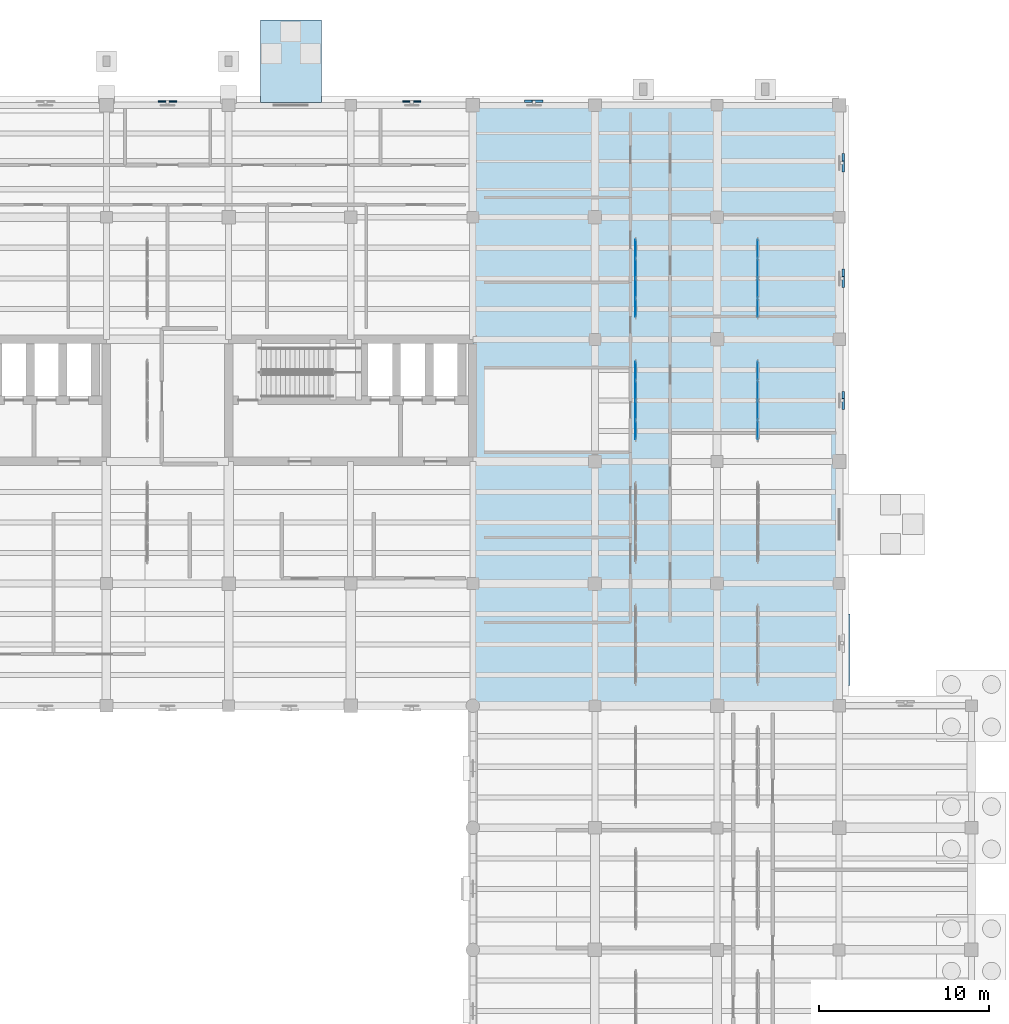
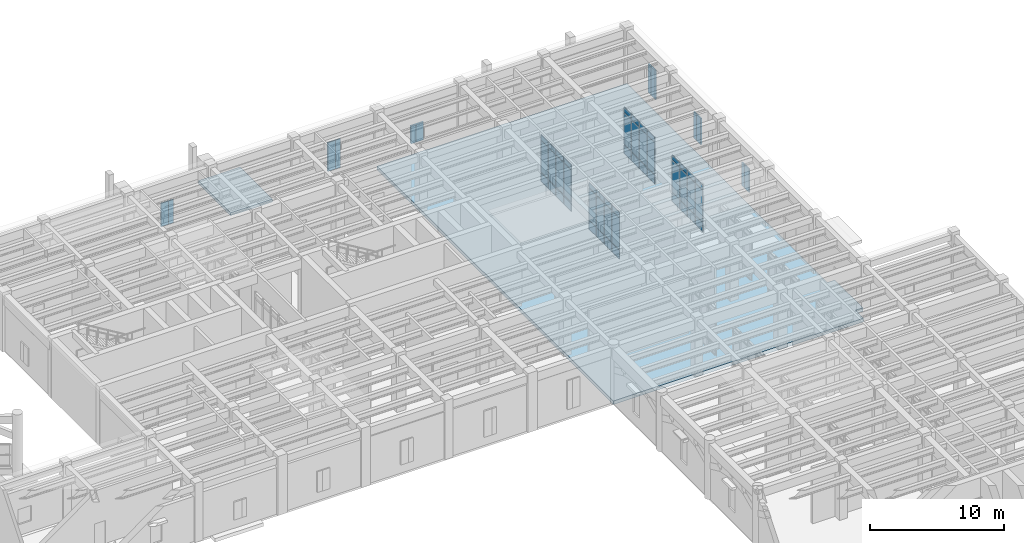
# One storey, part 66 of 100: 60 plates, 2 slabs, 4 elements without a shape of their own.
"""IFC4 building model written with IfcOpenShell, lengths in metres."""

import ifcopenshell
import ifcopenshell.guid

model = None  # the IFC model being written
_history = None  # IfcOwnerHistory: only IFC2X3 demands one
_inside = {}  # id of a spatial element -> (the spatial element, [elements in it])
_under = {}  # id of a project, library or spatial element -> (it, [spatial elements below it])
_declared = {}  # id of a project -> (the project, [libraries it declares])
_typed = {}  # id of a type object -> (the type object, [elements of that type])
_made_of = {}  # id of a material, layer set ... -> (it, [elements and type objects made of it])


def new_model(schema):
    """Start an empty IFC model of exactly this schema.

    Asked for "IFC4X3", IfcOpenShell would pick the latest addendum, in which some entities
    have other attributes; the version numbers below select the first issue.
    IFC2X3 requires an IfcOwnerHistory on every rooted entity: one is made here for all.
    """
    global model, _history
    if schema == "IFC4X3":
        model = ifcopenshell.file(schema_version=(4, 3, 0, 0))
    else:
        model = ifcopenshell.file(schema=schema)
    _inside.clear()
    _under.clear()
    _declared.clear()
    _typed.clear()
    _made_of.clear()
    _history = None
    if model.schema == "IFC2X3":
        org = make("IfcOrganization", Name="unknown")
        user = make(
            "IfcPersonAndOrganization",
            ThePerson=make("IfcPerson", FamilyName="unknown"),
            TheOrganization=org,
        )
        app = make(
            "IfcApplication",
            ApplicationDeveloper=org,
            Version="unknown",
            ApplicationFullName="unknown",
            ApplicationIdentifier="unknown",
        )
        _history = make(
            "IfcOwnerHistory",
            OwningUser=user,
            OwningApplication=app,
            ChangeAction="ADDED",
            CreationDate=0,
        )
    return model


def make(cls, **values):
    """One entity of the class cls with the attributes given. An attribute that is None is left unset."""
    return model.create_entity(
        cls, **{name: value for name, value in values.items() if value is not None}
    )


def rooted(cls, **values):
    """An entity with a GlobalId (a new one), such as an element, a storey or a relation."""
    return make(cls, GlobalId=ifcopenshell.guid.new(), OwnerHistory=_history, **values)


def si_unit(unit_type, name, prefix=None):
    """IfcSIUnit, for example si_unit("LENGTHUNIT", "METRE", prefix="MILLI")."""
    return make("IfcSIUnit", UnitType=unit_type, Prefix=prefix, Name=name)


def assignment(units):
    """IfcUnitAssignment: the units of a project."""
    return None if units is None else make("IfcUnitAssignment", Units=units)


def point(xyz):
    """IfcCartesianPoint."""
    return None if xyz is None else make("IfcCartesianPoint", Coordinates=xyz)


def direction(xyz):
    """IfcDirection."""
    return None if xyz is None else make("IfcDirection", DirectionRatios=xyz)


def frame(location, z_axis=None, x_axis=None):
    """IfcAxis2Placement3D, a coordinate frame: its origin and axes. An axis left out is left unset."""
    return make(
        "IfcAxis2Placement3D",
        Location=point(location),
        Axis=direction(z_axis),
        RefDirection=direction(x_axis),
    )


def frame_2d(location, x_axis=None):
    """IfcAxis2Placement2D, a coordinate frame in the plane: its origin and x axis."""
    return make(
        "IfcAxis2Placement2D", Location=point(location), RefDirection=direction(x_axis)
    )


def origin():
    """The frame at (0, 0, 0) with its axes left unset."""
    return frame((0.0, 0.0, 0.0))


def origin_2d():
    """The frame at (0, 0) in the plane with its x axis left unset."""
    return frame_2d((0.0, 0.0))


def place(relative_to, where):
    """IfcLocalPlacement: puts the frame where relative to a parent placement (None: the world)."""
    return make(
        "IfcLocalPlacement", PlacementRelTo=relative_to, RelativePlacement=where
    )


def context(
    kind, dimensions, precision=None, world=None, true_north=None, identifier=None
):
    """IfcGeometricRepresentationContext, for example the 3D "Model" context."""
    return make(
        "IfcGeometricRepresentationContext",
        ContextIdentifier=identifier,
        ContextType=kind,
        CoordinateSpaceDimension=dimensions,
        Precision=precision,
        WorldCoordinateSystem=world,
        TrueNorth=true_north,
    )


def subcontext(parent, identifier, kind, view, scale=None):
    """IfcGeometricRepresentationSubContext, for example "Body" below "Model"."""
    return make(
        "IfcGeometricRepresentationSubContext",
        ContextIdentifier=identifier,
        ContextType=kind,
        ParentContext=parent,
        TargetScale=scale,
        TargetView=view,
    )


def project(units=None, contexts=None):
    """IfcProject with its units and contexts."""
    return rooted(
        "IfcProject",
        Name="project",
        RepresentationContexts=contexts,
        UnitsInContext=assignment(units),
    )


def spatial(cls, under=None, at=None, **own):
    """A site, building, storey or space (cls), placed at a placement, below another one or the project."""
    s = rooted(cls, ObjectPlacement=at, **own)
    if under is not None:
        _under.setdefault(under.id(), (under, []))[1].append(s)
    return s


def polyline(points):
    """IfcPolyline through the points."""
    return make("IfcPolyline", Points=[point(p) for p in points])


def profile(cls, at=None, kind="AREA", **sizes):
    """A parametric profile (cls). Its sizes go by their IFC names, for example OverallWidth=200.0."""
    return make(cls, ProfileType=kind, Position=at, **sizes)


def rectangle(**sizes):
    """IfcRectangleProfileDef."""
    return profile("IfcRectangleProfileDef", **sizes)


def outline(outer, holes=None, kind="AREA"):
    """IfcArbitraryClosedProfileDef: a profile drawn as a closed curve; with holes, ...WithVoids."""
    if holes is None:
        return make("IfcArbitraryClosedProfileDef", ProfileType=kind, OuterCurve=outer)
    return make(
        "IfcArbitraryProfileDefWithVoids",
        ProfileType=kind,
        OuterCurve=outer,
        InnerCurves=holes,
    )


def extrude(swept, where, along, depth):
    """IfcExtrudedAreaSolid: the profile swept, set in the frame where, extruded along a direction by depth."""
    return make(
        "IfcExtrudedAreaSolid",
        SweptArea=swept,
        Position=where,
        ExtrudedDirection=direction(along),
        Depth=depth,
    )


def shape(context_of_items, identifier, shape_type, items):
    """IfcShapeRepresentation: the items that make up one representation, for example the "Body"."""
    return make(
        "IfcShapeRepresentation",
        ContextOfItems=context_of_items,
        RepresentationIdentifier=identifier,
        RepresentationType=shape_type,
        Items=items,
    )


def material(Name=None, Category=None):
    """IfcMaterial."""
    return make("IfcMaterial", Name=Name, Category=Category)


def layer(
    of_material, thickness, ventilated=None, Name=None, Category=None, Priority=None
):
    """IfcMaterialLayer: one layer of a wall or slab, of a material (None: an air gap)."""
    return make(
        "IfcMaterialLayer",
        Material=of_material,
        LayerThickness=thickness,
        IsVentilated=ventilated,
        Name=Name,
        Category=Category,
        Priority=Priority,
    )


def layer_set(layers, Name=None):
    """IfcMaterialLayerSet."""
    return make("IfcMaterialLayerSet", MaterialLayers=layers, LayerSetName=Name)


def made_of(thing, what):
    """Note that an element or type object is made of a material, layer set ...; save() writes the relation."""
    if what is not None:
        _made_of.setdefault(what.id(), (what, []))[1].append(thing)
    return thing


def type_object(cls, material=None, **own):
    """A type object (cls), such as IfcWallType, which elements share."""
    return made_of(rooted(cls, **own), material)


def element(
    cls,
    number,
    at=None,
    inside=None,
    cuts=None,
    type_object=None,
    material=None,
    context=None,
    identifier="Body",
    shape_type=None,
    held_by="IfcProductDefinitionShape",
    body=None,
    shapes=None,
    **own,
):
    """One element of the class cls, such as IfcWall. Its Tag is "e" and its number.

    at: its placement. inside: the storey or other place that contains it. cuts: it is an
    opening in that element (IfcRelVoidsElement). A single representation is given by context,
    identifier, shape_type and body (its items); several are given by shapes. held_by: the class
    of the entity that holds the representations. save() writes the other relations.
    """
    e = rooted(cls, Tag="e%d" % number, ObjectPlacement=at, **own)
    if body is not None:
        shapes = [shape(context, identifier, shape_type, body)]
    if shapes is not None:
        e.Representation = make(held_by, Representations=shapes)
    if inside is not None:
        _inside.setdefault(inside.id(), (inside, []))[1].append(e)
    if cuts is not None:
        rooted(
            "IfcRelVoidsElement", RelatingBuildingElement=cuts, RelatedOpeningElement=e
        )
    if type_object is not None:
        _typed.setdefault(type_object.id(), (type_object, []))[1].append(e)
    return made_of(e, material)


def aggregate(whole, parts):
    """IfcRelAggregates: a whole, such as a stair, and the parts it consists of."""
    return rooted("IfcRelAggregates", RelatingObject=whole, RelatedObjects=parts)


def save(model, path):
    """Write the relations noted so far, then the file.

    IfcRelAggregates (storeys below a building ...), IfcRelContainedInSpatialStructure (elements
    in a storey), IfcRelDefinesByType, IfcRelAssociatesMaterial and IfcRelDeclares: one each for
    every whole, place, type object, material and project.
    """
    for whole, parts in _under.values():
        aggregate(whole, parts)
    for where, things in _inside.values():
        rooted(
            "IfcRelContainedInSpatialStructure",
            RelatedElements=things,
            RelatingStructure=where,
        )
    for kind, things in _typed.values():
        rooted("IfcRelDefinesByType", RelatedObjects=things, RelatingType=kind)
    for what, things in _made_of.values():
        rooted("IfcRelAssociatesMaterial", RelatedObjects=things, RelatingMaterial=what)
    for by, libraries in _declared.values():
        rooted("IfcRelDeclares", RelatingContext=by, RelatedDefinitions=libraries)
    model.write(path)


model = new_model("IFC4")

# Units and contexts
model_context = context("Model", 3, precision=1e-05, world=origin(), true_north=direction((0.0, 1.0)))
body_context = subcontext(model_context, "Body", "Model", "MODEL_VIEW")
ifc_project = project(units=[si_unit("LENGTHUNIT", "METRE"), si_unit("AREAUNIT", "SQUARE_METRE"), si_unit("VOLUMEUNIT", "CUBIC_METRE"), si_unit("PLANEANGLEUNIT", "RADIAN"), si_unit("MASSUNIT", "GRAM", prefix="KILO")], contexts=[model_context])

# Site, building, storey
site_placement = place(None, origin())
site = spatial("IfcSite", under=ifc_project, at=site_placement, CompositionType="ELEMENT")
building_placement = place(site_placement, origin())
building = spatial("IfcBuilding", under=site, at=building_placement, Name="Mithqara Police Headquarters", CompositionType="ELEMENT")
storey_placement = place(building_placement, origin())
storey = spatial("IfcBuildingStorey", under=building, at=storey_placement, Name="L00", CompositionType="ELEMENT", Elevation=0.0)

# Curtain wall, plates
ifc_material_1 = material(Name="Bronze anodised aluminium 6063-T6", Category="aluminium")
curtain_wall_type = type_object("IfcCurtainWallType", Name="CURTAIN WALL 4700X4400", PredefinedType="USERDEFINED", material=ifc_material_1)
curtain_wall_1_placement = place(storey_placement, origin())
curtain_wall_1 = element("IfcCurtainWall", 1, at=curtain_wall_1_placement, inside=storey, type_object=curtain_wall_type, Name="L00 Unitised Glazing CW-14 (CW-INT-L00-X21-Y13-0)", ObjectType="UNITISED GLAZING", PredefinedType="USERDEFINED")
ifc_material_2 = material(Name="Spectrally selective double low-e glass", Category="glass")
ifc_layer_1 = layer(ifc_material_2, 0.028076171875, Name="Spectrally selective double low-e glass")
ifc_layer_set_1 = layer_set([ifc_layer_1], Name="Spectrally selective double low-e glass")
plate_type_1 = type_object("IfcPlateType", Name="CWPANEL GLASS28", PredefinedType="CURTAIN_PANEL", material=ifc_layer_set_1)
plate_1_placement = place(storey_placement, frame((154.199951171875, 94.856201171875, 0.074951171875), z_axis=(0.0, 0.0, 1.0), x_axis=(0.0, 1.0, 0.0)))
plate_1 = element("IfcPlate", 2, at=plate_1_placement, type_object=plate_type_1, Name="CW-14 panel 1.1", PredefinedType="CURTAIN_PANEL", context=body_context, shape_type="SweptSolid", body=[
    extrude(rectangle(XDim=1.0625, YDim=0.028076171875, at=origin_2d()), origin(), (0.0, 0.0, 1.0), 0.78759765625),
])
plate_2_placement = place(storey_placement, frame((154.199951171875, 94.856201171875, 0.9375), z_axis=(0.0, 0.0, 1.0), x_axis=(0.0, 1.0, 0.0)))
plate_2 = element("IfcPlate", 3, at=plate_2_placement, type_object=plate_type_1, Name="CW-14 panel 1.2", PredefinedType="CURTAIN_PANEL", context=body_context, shape_type="SweptSolid", body=[
    extrude(rectangle(XDim=1.0625, YDim=0.028076171875, at=origin_2d()), origin(), (0.0, 0.0, 1.0), 2.875),
])
plate_3_placement = place(storey_placement, frame((154.199951171875, 94.856201171875, 3.887451171875), z_axis=(0.0, 0.0, 1.0), x_axis=(0.0, 1.0, 0.0)))
plate_3 = element("IfcPlate", 4, at=plate_3_placement, type_object=plate_type_1, Name="CW-14 panel 1.3", PredefinedType="CURTAIN_PANEL", context=body_context, shape_type="SweptSolid", body=[
    extrude(rectangle(XDim=1.0625, YDim=0.028076171875, at=origin_2d()), origin(), (0.0, 0.0, 1.0), 0.4375),
])
plate_4_placement = place(storey_placement, frame((154.199951171875, 96.012451171875, 0.074951171875), z_axis=(0.0, 0.0, 1.0), x_axis=(0.0, 1.0, 0.0)))
plate_4 = element("IfcPlate", 5, at=plate_4_placement, type_object=plate_type_1, Name="CW-14 panel 2.1", PredefinedType="CURTAIN_PANEL", context=body_context, shape_type="SweptSolid", body=[
    extrude(rectangle(XDim=1.10009765625, YDim=0.028076171875, at=origin_2d()), origin(), (0.0, 0.0, 1.0), 0.78759765625),
])
plate_5_placement = place(storey_placement, frame((154.199951171875, 96.012451171875, 0.9375), z_axis=(0.0, 0.0, 1.0), x_axis=(0.0, 1.0, 0.0)))
plate_5 = element("IfcPlate", 6, at=plate_5_placement, type_object=plate_type_1, Name="CW-14 panel 2.2", PredefinedType="CURTAIN_PANEL", context=body_context, shape_type="SweptSolid", body=[
    extrude(rectangle(XDim=1.10009765625, YDim=0.028076171875, at=origin_2d()), origin(), (0.0, 0.0, 1.0), 2.875),
])
plate_6_placement = place(storey_placement, frame((154.199951171875, 96.012451171875, 3.887451171875), z_axis=(0.0, 0.0, 1.0), x_axis=(0.0, 1.0, 0.0)))
plate_6 = element("IfcPlate", 7, at=plate_6_placement, type_object=plate_type_1, Name="CW-14 panel 2.3", PredefinedType="CURTAIN_PANEL", context=body_context, shape_type="SweptSolid", body=[
    extrude(rectangle(XDim=1.10009765625, YDim=0.028076171875, at=origin_2d()), origin(), (0.0, 0.0, 1.0), 0.4375),
])
plate_7_placement = place(storey_placement, frame((154.199951171875, 97.1875, 0.074951171875), z_axis=(0.0, 0.0, 1.0), x_axis=(0.0, 1.0, 0.0)))
plate_7 = element("IfcPlate", 8, at=plate_7_placement, type_object=plate_type_1, Name="CW-14 panel 3.1", PredefinedType="CURTAIN_PANEL", context=body_context, shape_type="SweptSolid", body=[
    extrude(rectangle(XDim=1.10009765625, YDim=0.028076171875, at=origin_2d()), origin(), (0.0, 0.0, 1.0), 0.78759765625),
])
plate_8_placement = place(storey_placement, frame((154.199951171875, 97.1875, 0.9375), z_axis=(0.0, 0.0, 1.0), x_axis=(0.0, 1.0, 0.0)))
plate_8 = element("IfcPlate", 9, at=plate_8_placement, type_object=plate_type_1, Name="CW-14 panel 3.2", PredefinedType="CURTAIN_PANEL", context=body_context, shape_type="SweptSolid", body=[
    extrude(rectangle(XDim=1.10009765625, YDim=0.028076171875, at=origin_2d()), origin(), (0.0, 0.0, 1.0), 2.875),
])
plate_9_placement = place(storey_placement, frame((154.199951171875, 97.1875, 3.887451171875), z_axis=(0.0, 0.0, 1.0), x_axis=(0.0, 1.0, 0.0)))
plate_9 = element("IfcPlate", 10, at=plate_9_placement, type_object=plate_type_1, Name="CW-14 panel 3.3", PredefinedType="CURTAIN_PANEL", context=body_context, shape_type="SweptSolid", body=[
    extrude(rectangle(XDim=1.10009765625, YDim=0.028076171875, at=origin_2d()), origin(), (0.0, 0.0, 1.0), 0.4375),
])
plate_10_placement = place(storey_placement, frame((154.199951171875, 98.34375, 0.074951171875), z_axis=(0.0, 0.0, 1.0), x_axis=(0.0, 1.0, 0.0)))
plate_10 = element("IfcPlate", 11, at=plate_10_placement, type_object=plate_type_1, Name="CW-14 panel 4.1", PredefinedType="CURTAIN_PANEL", context=body_context, shape_type="SweptSolid", body=[
    extrude(rectangle(XDim=1.0625, YDim=0.028076171875, at=origin_2d()), origin(), (0.0, 0.0, 1.0), 0.78759765625),
])
plate_11_placement = place(storey_placement, frame((154.199951171875, 98.34375, 0.9375), z_axis=(0.0, 0.0, 1.0), x_axis=(0.0, 1.0, 0.0)))
plate_11 = element("IfcPlate", 12, at=plate_11_placement, type_object=plate_type_1, Name="CW-14 panel 4.2", PredefinedType="CURTAIN_PANEL", context=body_context, shape_type="SweptSolid", body=[
    extrude(rectangle(XDim=1.0625, YDim=0.028076171875, at=origin_2d()), origin(), (0.0, 0.0, 1.0), 2.875),
])
plate_12_placement = place(storey_placement, frame((154.199951171875, 98.34375, 3.887451171875), z_axis=(0.0, 0.0, 1.0), x_axis=(0.0, 1.0, 0.0)))
plate_12 = element("IfcPlate", 13, at=plate_12_placement, type_object=plate_type_1, Name="CW-14 panel 4.3", PredefinedType="CURTAIN_PANEL", context=body_context, shape_type="SweptSolid", body=[
    extrude(rectangle(XDim=1.0625, YDim=0.028076171875, at=origin_2d()), origin(), (0.0, 0.0, 1.0), 0.4375),
])
aggregate(curtain_wall_1, [plate_1, plate_2, plate_3, plate_4, plate_5, plate_6, plate_7, plate_8, plate_9, plate_10, plate_11, plate_12])

curtain_wall_2_placement = place(storey_placement, origin())
curtain_wall_2 = element("IfcCurtainWall", 14, at=curtain_wall_2_placement, inside=storey, type_object=curtain_wall_type, Name="L00 Unitised Glazing CW-14 (CW-INT-L00-X21-Y14-0)", ObjectType="UNITISED GLAZING", PredefinedType="USERDEFINED")
plate_13_placement = place(storey_placement, frame((154.199951171875, 102.05615234375, 0.074951171875), z_axis=(0.0, 0.0, 1.0), x_axis=(0.0, 1.0, 0.0)))
plate_13 = element("IfcPlate", 15, at=plate_13_placement, type_object=plate_type_1, Name="CW-14 panel 1.1", PredefinedType="CURTAIN_PANEL", context=body_context, shape_type="SweptSolid", body=[
    extrude(rectangle(XDim=1.0625, YDim=0.028076171875, at=origin_2d()), origin(), (0.0, 0.0, 1.0), 0.78759765625),
])
plate_14_placement = place(storey_placement, frame((154.199951171875, 102.05615234375, 0.9375), z_axis=(0.0, 0.0, 1.0), x_axis=(0.0, 1.0, 0.0)))
plate_14 = element("IfcPlate", 16, at=plate_14_placement, type_object=plate_type_1, Name="CW-14 panel 1.2", PredefinedType="CURTAIN_PANEL", context=body_context, shape_type="SweptSolid", body=[
    extrude(rectangle(XDim=1.0625, YDim=0.028076171875, at=origin_2d()), origin(), (0.0, 0.0, 1.0), 2.875),
])
plate_15_placement = place(storey_placement, frame((154.199951171875, 102.05615234375, 3.887451171875), z_axis=(0.0, 0.0, 1.0), x_axis=(0.0, 1.0, 0.0)))
plate_15 = element("IfcPlate", 17, at=plate_15_placement, type_object=plate_type_1, Name="CW-14 panel 1.3", PredefinedType="CURTAIN_PANEL", context=body_context, shape_type="SweptSolid", body=[
    extrude(rectangle(XDim=1.0625, YDim=0.028076171875, at=origin_2d()), origin(), (0.0, 0.0, 1.0), 0.4375),
])
plate_16_placement = place(storey_placement, frame((154.199951171875, 103.21240234375, 0.074951171875), z_axis=(0.0, 0.0, 1.0), x_axis=(0.0, 1.0, 0.0)))
plate_16 = element("IfcPlate", 18, at=plate_16_placement, type_object=plate_type_1, Name="CW-14 panel 2.1", PredefinedType="CURTAIN_PANEL", context=body_context, shape_type="SweptSolid", body=[
    extrude(rectangle(XDim=1.10009765625, YDim=0.028076171875, at=origin_2d()), origin(), (0.0, 0.0, 1.0), 0.78759765625),
])
plate_17_placement = place(storey_placement, frame((154.199951171875, 103.21240234375, 0.9375), z_axis=(0.0, 0.0, 1.0), x_axis=(0.0, 1.0, 0.0)))
plate_17 = element("IfcPlate", 19, at=plate_17_placement, type_object=plate_type_1, Name="CW-14 panel 2.2", PredefinedType="CURTAIN_PANEL", context=body_context, shape_type="SweptSolid", body=[
    extrude(rectangle(XDim=1.10009765625, YDim=0.028076171875, at=origin_2d()), origin(), (0.0, 0.0, 1.0), 2.875),
])
plate_18_placement = place(storey_placement, frame((154.199951171875, 103.21240234375, 3.887451171875), z_axis=(0.0, 0.0, 1.0), x_axis=(0.0, 1.0, 0.0)))
plate_18 = element("IfcPlate", 20, at=plate_18_placement, type_object=plate_type_1, Name="CW-14 panel 2.3", PredefinedType="CURTAIN_PANEL", context=body_context, shape_type="SweptSolid", body=[
    extrude(rectangle(XDim=1.10009765625, YDim=0.028076171875, at=origin_2d()), origin(), (0.0, 0.0, 1.0), 0.4375),
])
plate_19_placement = place(storey_placement, frame((154.199951171875, 104.387451171875, 0.074951171875), z_axis=(0.0, 0.0, 1.0), x_axis=(0.0, 1.0, 0.0)))
plate_19 = element("IfcPlate", 21, at=plate_19_placement, type_object=plate_type_1, Name="CW-14 panel 3.1", PredefinedType="CURTAIN_PANEL", context=body_context, shape_type="SweptSolid", body=[
    extrude(rectangle(XDim=1.10009765625, YDim=0.028076171875, at=origin_2d()), origin(), (0.0, 0.0, 1.0), 0.78759765625),
])
plate_20_placement = place(storey_placement, frame((154.199951171875, 104.387451171875, 0.9375), z_axis=(0.0, 0.0, 1.0), x_axis=(0.0, 1.0, 0.0)))
plate_20 = element("IfcPlate", 22, at=plate_20_placement, type_object=plate_type_1, Name="CW-14 panel 3.2", PredefinedType="CURTAIN_PANEL", context=body_context, shape_type="SweptSolid", body=[
    extrude(rectangle(XDim=1.10009765625, YDim=0.028076171875, at=origin_2d()), origin(), (0.0, 0.0, 1.0), 2.875),
])
plate_21_placement = place(storey_placement, frame((154.199951171875, 104.387451171875, 3.887451171875), z_axis=(0.0, 0.0, 1.0), x_axis=(0.0, 1.0, 0.0)))
plate_21 = element("IfcPlate", 23, at=plate_21_placement, type_object=plate_type_1, Name="CW-14 panel 3.3", PredefinedType="CURTAIN_PANEL", context=body_context, shape_type="SweptSolid", body=[
    extrude(rectangle(XDim=1.10009765625, YDim=0.028076171875, at=origin_2d()), origin(), (0.0, 0.0, 1.0), 0.4375),
])
plate_22_placement = place(storey_placement, frame((154.199951171875, 105.543701171875, 0.074951171875), z_axis=(0.0, 0.0, 1.0), x_axis=(0.0, 1.0, 0.0)))
plate_22 = element("IfcPlate", 24, at=plate_22_placement, type_object=plate_type_1, Name="CW-14 panel 4.1", PredefinedType="CURTAIN_PANEL", context=body_context, shape_type="SweptSolid", body=[
    extrude(rectangle(XDim=1.0625, YDim=0.028076171875, at=origin_2d()), origin(), (0.0, 0.0, 1.0), 0.78759765625),
])
plate_23_placement = place(storey_placement, frame((154.199951171875, 105.543701171875, 0.9375), z_axis=(0.0, 0.0, 1.0), x_axis=(0.0, 1.0, 0.0)))
plate_23 = element("IfcPlate", 25, at=plate_23_placement, type_object=plate_type_1, Name="CW-14 panel 4.2", PredefinedType="CURTAIN_PANEL", context=body_context, shape_type="SweptSolid", body=[
    extrude(rectangle(XDim=1.0625, YDim=0.028076171875, at=origin_2d()), origin(), (0.0, 0.0, 1.0), 2.875),
])
plate_24_placement = place(storey_placement, frame((154.199951171875, 105.543701171875, 3.887451171875), z_axis=(0.0, 0.0, 1.0), x_axis=(0.0, 1.0, 0.0)))
plate_24 = element("IfcPlate", 26, at=plate_24_placement, type_object=plate_type_1, Name="CW-14 panel 4.3", PredefinedType="CURTAIN_PANEL", context=body_context, shape_type="SweptSolid", body=[
    extrude(rectangle(XDim=1.0625, YDim=0.028076171875, at=origin_2d()), origin(), (0.0, 0.0, 1.0), 0.4375),
])
aggregate(curtain_wall_2, [plate_13, plate_14, plate_15, plate_16, plate_17, plate_18, plate_19, plate_20, plate_21, plate_22, plate_23, plate_24])

curtain_wall_3_placement = place(storey_placement, origin())
curtain_wall_3 = element("IfcCurtainWall", 27, at=curtain_wall_3_placement, inside=storey, type_object=curtain_wall_type, Name="L00 Unitised Glazing CW-14 (CW-INT-L00-X22-Y13-0)", ObjectType="UNITISED GLAZING", PredefinedType="USERDEFINED")
plate_25_placement = place(storey_placement, frame((161.39990234375, 94.856201171875, 0.074951171875), z_axis=(0.0, 0.0, 1.0), x_axis=(0.0, 1.0, 0.0)))
plate_25 = element("IfcPlate", 28, at=plate_25_placement, type_object=plate_type_1, Name="CW-14 panel 1.1", PredefinedType="CURTAIN_PANEL", context=body_context, shape_type="SweptSolid", body=[
    extrude(rectangle(XDim=1.0625, YDim=0.028076171875, at=origin_2d()), origin(), (0.0, 0.0, 1.0), 0.78759765625),
])
plate_26_placement = place(storey_placement, frame((161.39990234375, 94.856201171875, 0.9375), z_axis=(0.0, 0.0, 1.0), x_axis=(0.0, 1.0, 0.0)))
plate_26 = element("IfcPlate", 29, at=plate_26_placement, type_object=plate_type_1, Name="CW-14 panel 1.2", PredefinedType="CURTAIN_PANEL", context=body_context, shape_type="SweptSolid", body=[
    extrude(rectangle(XDim=1.0625, YDim=0.028076171875, at=origin_2d()), origin(), (0.0, 0.0, 1.0), 2.875),
])
plate_27_placement = place(storey_placement, frame((161.39990234375, 94.856201171875, 3.887451171875), z_axis=(0.0, 0.0, 1.0), x_axis=(0.0, 1.0, 0.0)))
plate_27 = element("IfcPlate", 30, at=plate_27_placement, type_object=plate_type_1, Name="CW-14 panel 1.3", PredefinedType="CURTAIN_PANEL", context=body_context, shape_type="SweptSolid", body=[
    extrude(rectangle(XDim=1.0625, YDim=0.028076171875, at=origin_2d()), origin(), (0.0, 0.0, 1.0), 0.4375),
])
plate_28_placement = place(storey_placement, frame((161.39990234375, 96.012451171875, 0.074951171875), z_axis=(0.0, 0.0, 1.0), x_axis=(0.0, 1.0, 0.0)))
plate_28 = element("IfcPlate", 31, at=plate_28_placement, type_object=plate_type_1, Name="CW-14 panel 2.1", PredefinedType="CURTAIN_PANEL", context=body_context, shape_type="SweptSolid", body=[
    extrude(rectangle(XDim=1.10009765625, YDim=0.028076171875, at=origin_2d()), origin(), (0.0, 0.0, 1.0), 0.78759765625),
])
plate_29_placement = place(storey_placement, frame((161.39990234375, 96.012451171875, 0.9375), z_axis=(0.0, 0.0, 1.0), x_axis=(0.0, 1.0, 0.0)))
plate_29 = element("IfcPlate", 32, at=plate_29_placement, type_object=plate_type_1, Name="CW-14 panel 2.2", PredefinedType="CURTAIN_PANEL", context=body_context, shape_type="SweptSolid", body=[
    extrude(rectangle(XDim=1.10009765625, YDim=0.028076171875, at=origin_2d()), origin(), (0.0, 0.0, 1.0), 2.875),
])
plate_30_placement = place(storey_placement, frame((161.39990234375, 96.012451171875, 3.887451171875), z_axis=(0.0, 0.0, 1.0), x_axis=(0.0, 1.0, 0.0)))
plate_30 = element("IfcPlate", 33, at=plate_30_placement, type_object=plate_type_1, Name="CW-14 panel 2.3", PredefinedType="CURTAIN_PANEL", context=body_context, shape_type="SweptSolid", body=[
    extrude(rectangle(XDim=1.10009765625, YDim=0.028076171875, at=origin_2d()), origin(), (0.0, 0.0, 1.0), 0.4375),
])
plate_31_placement = place(storey_placement, frame((161.39990234375, 97.1875, 0.074951171875), z_axis=(0.0, 0.0, 1.0), x_axis=(0.0, 1.0, 0.0)))
plate_31 = element("IfcPlate", 34, at=plate_31_placement, type_object=plate_type_1, Name="CW-14 panel 3.1", PredefinedType="CURTAIN_PANEL", context=body_context, shape_type="SweptSolid", body=[
    extrude(rectangle(XDim=1.10009765625, YDim=0.028076171875, at=origin_2d()), origin(), (0.0, 0.0, 1.0), 0.78759765625),
])
plate_32_placement = place(storey_placement, frame((161.39990234375, 97.1875, 0.9375), z_axis=(0.0, 0.0, 1.0), x_axis=(0.0, 1.0, 0.0)))
plate_32 = element("IfcPlate", 35, at=plate_32_placement, type_object=plate_type_1, Name="CW-14 panel 3.2", PredefinedType="CURTAIN_PANEL", context=body_context, shape_type="SweptSolid", body=[
    extrude(rectangle(XDim=1.10009765625, YDim=0.028076171875, at=origin_2d()), origin(), (0.0, 0.0, 1.0), 2.875),
])
plate_33_placement = place(storey_placement, frame((161.39990234375, 97.1875, 3.887451171875), z_axis=(0.0, 0.0, 1.0), x_axis=(0.0, 1.0, 0.0)))
plate_33 = element("IfcPlate", 36, at=plate_33_placement, type_object=plate_type_1, Name="CW-14 panel 3.3", PredefinedType="CURTAIN_PANEL", context=body_context, shape_type="SweptSolid", body=[
    extrude(rectangle(XDim=1.10009765625, YDim=0.028076171875, at=origin_2d()), origin(), (0.0, 0.0, 1.0), 0.4375),
])
plate_34_placement = place(storey_placement, frame((161.39990234375, 98.34375, 0.074951171875), z_axis=(0.0, 0.0, 1.0), x_axis=(0.0, 1.0, 0.0)))
plate_34 = element("IfcPlate", 37, at=plate_34_placement, type_object=plate_type_1, Name="CW-14 panel 4.1", PredefinedType="CURTAIN_PANEL", context=body_context, shape_type="SweptSolid", body=[
    extrude(rectangle(XDim=1.0625, YDim=0.028076171875, at=origin_2d()), origin(), (0.0, 0.0, 1.0), 0.78759765625),
])
plate_35_placement = place(storey_placement, frame((161.39990234375, 98.34375, 0.9375), z_axis=(0.0, 0.0, 1.0), x_axis=(0.0, 1.0, 0.0)))
plate_35 = element("IfcPlate", 38, at=plate_35_placement, type_object=plate_type_1, Name="CW-14 panel 4.2", PredefinedType="CURTAIN_PANEL", context=body_context, shape_type="SweptSolid", body=[
    extrude(rectangle(XDim=1.0625, YDim=0.028076171875, at=origin_2d()), origin(), (0.0, 0.0, 1.0), 2.875),
])
plate_36_placement = place(storey_placement, frame((161.39990234375, 98.34375, 3.887451171875), z_axis=(0.0, 0.0, 1.0), x_axis=(0.0, 1.0, 0.0)))
plate_36 = element("IfcPlate", 39, at=plate_36_placement, type_object=plate_type_1, Name="CW-14 panel 4.3", PredefinedType="CURTAIN_PANEL", context=body_context, shape_type="SweptSolid", body=[
    extrude(rectangle(XDim=1.0625, YDim=0.028076171875, at=origin_2d()), origin(), (0.0, 0.0, 1.0), 0.4375),
])
aggregate(curtain_wall_3, [plate_25, plate_26, plate_27, plate_28, plate_29, plate_30, plate_31, plate_32, plate_33, plate_34, plate_35, plate_36])

curtain_wall_4_placement = place(storey_placement, origin())
curtain_wall_4 = element("IfcCurtainWall", 40, at=curtain_wall_4_placement, inside=storey, type_object=curtain_wall_type, Name="L00 Unitised Glazing CW-14 (CW-INT-L00-X22-Y14-0)", ObjectType="UNITISED GLAZING", PredefinedType="USERDEFINED")
plate_37_placement = place(storey_placement, frame((161.39990234375, 102.05615234375, 0.074951171875), z_axis=(0.0, 0.0, 1.0), x_axis=(0.0, 1.0, 0.0)))
plate_37 = element("IfcPlate", 41, at=plate_37_placement, type_object=plate_type_1, Name="CW-14 panel 1.1", PredefinedType="CURTAIN_PANEL", context=body_context, shape_type="SweptSolid", body=[
    extrude(rectangle(XDim=1.0625, YDim=0.028076171875, at=origin_2d()), origin(), (0.0, 0.0, 1.0), 0.78759765625),
])
plate_38_placement = place(storey_placement, frame((161.39990234375, 102.05615234375, 0.9375), z_axis=(0.0, 0.0, 1.0), x_axis=(0.0, 1.0, 0.0)))
plate_38 = element("IfcPlate", 42, at=plate_38_placement, type_object=plate_type_1, Name="CW-14 panel 1.2", PredefinedType="CURTAIN_PANEL", context=body_context, shape_type="SweptSolid", body=[
    extrude(rectangle(XDim=1.0625, YDim=0.028076171875, at=origin_2d()), origin(), (0.0, 0.0, 1.0), 2.875),
])
plate_39_placement = place(storey_placement, frame((161.39990234375, 102.05615234375, 3.887451171875), z_axis=(0.0, 0.0, 1.0), x_axis=(0.0, 1.0, 0.0)))
plate_39 = element("IfcPlate", 43, at=plate_39_placement, type_object=plate_type_1, Name="CW-14 panel 1.3", PredefinedType="CURTAIN_PANEL", context=body_context, shape_type="SweptSolid", body=[
    extrude(rectangle(XDim=1.0625, YDim=0.028076171875, at=origin_2d()), origin(), (0.0, 0.0, 1.0), 0.4375),
])
plate_40_placement = place(storey_placement, frame((161.39990234375, 103.21240234375, 0.074951171875), z_axis=(0.0, 0.0, 1.0), x_axis=(0.0, 1.0, 0.0)))
plate_40 = element("IfcPlate", 44, at=plate_40_placement, type_object=plate_type_1, Name="CW-14 panel 2.1", PredefinedType="CURTAIN_PANEL", context=body_context, shape_type="SweptSolid", body=[
    extrude(rectangle(XDim=1.10009765625, YDim=0.028076171875, at=origin_2d()), origin(), (0.0, 0.0, 1.0), 0.78759765625),
])
plate_41_placement = place(storey_placement, frame((161.39990234375, 103.21240234375, 0.9375), z_axis=(0.0, 0.0, 1.0), x_axis=(0.0, 1.0, 0.0)))
plate_41 = element("IfcPlate", 45, at=plate_41_placement, type_object=plate_type_1, Name="CW-14 panel 2.2", PredefinedType="CURTAIN_PANEL", context=body_context, shape_type="SweptSolid", body=[
    extrude(rectangle(XDim=1.10009765625, YDim=0.028076171875, at=origin_2d()), origin(), (0.0, 0.0, 1.0), 2.875),
])
plate_42_placement = place(storey_placement, frame((161.39990234375, 103.21240234375, 3.887451171875), z_axis=(0.0, 0.0, 1.0), x_axis=(0.0, 1.0, 0.0)))
plate_42 = element("IfcPlate", 46, at=plate_42_placement, type_object=plate_type_1, Name="CW-14 panel 2.3", PredefinedType="CURTAIN_PANEL", context=body_context, shape_type="SweptSolid", body=[
    extrude(rectangle(XDim=1.10009765625, YDim=0.028076171875, at=origin_2d()), origin(), (0.0, 0.0, 1.0), 0.4375),
])
plate_43_placement = place(storey_placement, frame((161.39990234375, 104.387451171875, 0.074951171875), z_axis=(0.0, 0.0, 1.0), x_axis=(0.0, 1.0, 0.0)))
plate_43 = element("IfcPlate", 47, at=plate_43_placement, type_object=plate_type_1, Name="CW-14 panel 3.1", PredefinedType="CURTAIN_PANEL", context=body_context, shape_type="SweptSolid", body=[
    extrude(rectangle(XDim=1.10009765625, YDim=0.028076171875, at=origin_2d()), origin(), (0.0, 0.0, 1.0), 0.78759765625),
])
plate_44_placement = place(storey_placement, frame((161.39990234375, 104.387451171875, 0.9375), z_axis=(0.0, 0.0, 1.0), x_axis=(0.0, 1.0, 0.0)))
plate_44 = element("IfcPlate", 48, at=plate_44_placement, type_object=plate_type_1, Name="CW-14 panel 3.2", PredefinedType="CURTAIN_PANEL", context=body_context, shape_type="SweptSolid", body=[
    extrude(rectangle(XDim=1.10009765625, YDim=0.028076171875, at=origin_2d()), origin(), (0.0, 0.0, 1.0), 2.875),
])
plate_45_placement = place(storey_placement, frame((161.39990234375, 104.387451171875, 3.887451171875), z_axis=(0.0, 0.0, 1.0), x_axis=(0.0, 1.0, 0.0)))
plate_45 = element("IfcPlate", 49, at=plate_45_placement, type_object=plate_type_1, Name="CW-14 panel 3.3", PredefinedType="CURTAIN_PANEL", context=body_context, shape_type="SweptSolid", body=[
    extrude(rectangle(XDim=1.10009765625, YDim=0.028076171875, at=origin_2d()), origin(), (0.0, 0.0, 1.0), 0.4375),
])
plate_46_placement = place(storey_placement, frame((161.39990234375, 105.543701171875, 0.074951171875), z_axis=(0.0, 0.0, 1.0), x_axis=(0.0, 1.0, 0.0)))
plate_46 = element("IfcPlate", 50, at=plate_46_placement, type_object=plate_type_1, Name="CW-14 panel 4.1", PredefinedType="CURTAIN_PANEL", context=body_context, shape_type="SweptSolid", body=[
    extrude(rectangle(XDim=1.0625, YDim=0.028076171875, at=origin_2d()), origin(), (0.0, 0.0, 1.0), 0.78759765625),
])
plate_47_placement = place(storey_placement, frame((161.39990234375, 105.543701171875, 0.9375), z_axis=(0.0, 0.0, 1.0), x_axis=(0.0, 1.0, 0.0)))
plate_47 = element("IfcPlate", 51, at=plate_47_placement, type_object=plate_type_1, Name="CW-14 panel 4.2", PredefinedType="CURTAIN_PANEL", context=body_context, shape_type="SweptSolid", body=[
    extrude(rectangle(XDim=1.0625, YDim=0.028076171875, at=origin_2d()), origin(), (0.0, 0.0, 1.0), 2.875),
])
plate_48_placement = place(storey_placement, frame((161.39990234375, 105.543701171875, 3.887451171875), z_axis=(0.0, 0.0, 1.0), x_axis=(0.0, 1.0, 0.0)))
plate_48 = element("IfcPlate", 52, at=plate_48_placement, type_object=plate_type_1, Name="CW-14 panel 4.3", PredefinedType="CURTAIN_PANEL", context=body_context, shape_type="SweptSolid", body=[
    extrude(rectangle(XDim=1.0625, YDim=0.028076171875, at=origin_2d()), origin(), (0.0, 0.0, 1.0), 0.4375),
])
aggregate(curtain_wall_4, [plate_37, plate_38, plate_39, plate_40, plate_41, plate_42, plate_43, plate_44, plate_45, plate_46, plate_47, plate_48])

# Slabs
ifc_material_3 = material(Name="Concrete C40/50", Category="concrete")
ifc_layer_2 = layer(ifc_material_3, 0.320068359375, Name="Concrete C40/50")
ifc_layer_set_2 = layer_set([ifc_layer_2], Name="Concrete C40/50")
slab_type_1 = type_object("IfcSlabType", Name="FLOOR SLAB 320", PredefinedType="FLOOR", material=ifc_layer_set_2)
slab_1_placement = place(storey_placement, frame((0.0, 0.0, -0.320068359375)))
element("IfcSlab", 53, at=slab_1_placement, inside=storey, type_object=slab_type_1, Name="L00 Structural Slab L00-V1B", PredefinedType="FLOOR", context=body_context, shape_type="SweptSolid", body=[
    extrude(outline(polyline([(166.85009765625, 84.0), (166.85009765625, 79.800048828125), (166.199951171875, 79.800048828125), (166.199951171875, 78.60009765625), (144.60009765625, 78.60009765625), (144.60009765625, 114.0), (166.199951171875, 114.0), (166.199951171875, 84.0), (166.85009765625, 84.0)])), origin(), (0.0, 0.0, 1.0), 0.320068359375),
])
ifc_layer_3 = layer(ifc_material_3, 0.260009765625, Name="Concrete C40/50")
ifc_layer_set_3 = layer_set([ifc_layer_3], Name="Concrete C40/50")
slab_type_2 = type_object("IfcSlabType", Name="PAVING SLAB 260", PredefinedType="FLOOR", material=ifc_layer_set_3)
slab_2_placement = place(storey_placement, frame((0.0, 0.0, -0.260009765625)))
element("IfcSlab", 54, at=slab_2_placement, inside=storey, type_object=slab_type_2, Name="Ground Exit Threshold Apron 5", PredefinedType="FLOOR", context=body_context, shape_type="SweptSolid", body=[
    extrude(outline(polyline([(132.072021484375, 114.179931640625), (132.072021484375, 119.030029296875), (135.672119140625, 119.030029296875), (135.672119140625, 114.179931640625), (132.072021484375, 114.179931640625)])), origin(), (0.0, 0.0, 1.0), 0.260009765625),
])

# Plates
ifc_material_4 = material(Name="Limestone ashlar masonry, 45 MPa", Category="masonry")
ifc_layer_4 = layer(ifc_material_4, 0.1201171875, Name="Limestone ashlar masonry, 45 MPa")
ifc_layer_set_4 = layer_set([ifc_layer_4], Name="Limestone ashlar masonry, 45 MPa")
plate_type_2 = type_object("IfcPlateType", Name="STONE SCREEN 120", PredefinedType="USERDEFINED", material=ifc_layer_set_4)
for number, where, z_axis, x_axis, name in (
    (55, (166.43994140625, 96.387451171875, 0.830078125), (0.0, 0.0, 1.0), (0.0, 1.0, 0.0), "L00 Pierced Limestone Vertical-Slit Panel 5"),
    (56, (166.43994140625, 96.8125, 0.830078125), (0.0, 0.0, 1.0), (0.0, 1.0, 0.0), "L00 Pierced Limestone Vertical-Slit Panel 6"),
):
    element("IfcPlate", number, at=place(storey_placement, frame(where, z_axis=z_axis, x_axis=x_axis)), inside=storey, type_object=plate_type_2, Name=name, ObjectType="STONE SCREEN", PredefinedType="USERDEFINED", context=body_context, shape_type="SweptSolid", body=[
        extrude(rectangle(XDim=0.656005859375, YDim=0.1201171875, at=origin_2d()), origin(), (0.0, 0.0, 1.0), 2.139892578125),
    ])
for number, where, z_axis, x_axis, name in (
    (57, (166.43994140625, 103.58740234375, 0.830078125), (0.0, 0.0, 1.0), (0.0, 1.0, 0.0), "L00 Pierced Limestone Vertical-Slit Panel 7"),
    (58, (166.43994140625, 104.012451171875, 0.830078125), (0.0, 0.0, 1.0), (0.0, 1.0, 0.0), "L00 Pierced Limestone Vertical-Slit Panel 8"),
):
    element("IfcPlate", number, at=place(storey_placement, frame(where, z_axis=z_axis, x_axis=x_axis)), inside=storey, type_object=plate_type_2, Name=name, ObjectType="STONE SCREEN", PredefinedType="USERDEFINED", context=body_context, shape_type="SweptSolid", body=[
        extrude(rectangle(XDim=0.656005859375, YDim=0.1201171875, at=origin_2d()), origin(), (0.0, 0.0, 1.0), 2.389892578125),
    ])
for number, where, z_axis, x_axis, name in (
    (59, (166.43994140625, 110.3974609375, 0.830078125), (0.0, 0.0, 1.0), (0.0, 1.0, 0.0), "L00 Pierced Limestone Vertical-Slit Panel 9"),
    (60, (166.43994140625, 110.822509765625, 0.830078125), (0.0, 0.0, 1.0), (0.0, 1.0, 0.0), "L00 Pierced Limestone Vertical-Slit Panel 10"),
):
    element("IfcPlate", number, at=place(storey_placement, frame(where, z_axis=z_axis, x_axis=x_axis)), inside=storey, type_object=plate_type_2, Name=name, ObjectType="STONE SCREEN", PredefinedType="USERDEFINED", context=body_context, shape_type="SweptSolid", body=[
        extrude(rectangle(XDim=0.656005859375, YDim=0.1201171875, at=origin_2d()), origin(), (0.0, 0.0, 1.0), 2.639892578125),
    ])
ifc_layer_5 = layer(ifc_material_4, 0.139892578125, Name="Limestone ashlar masonry, 45 MPa")
ifc_layer_set_5 = layer_set([ifc_layer_5], Name="Limestone ashlar masonry, 45 MPa")
plate_type_3 = type_object("IfcPlateType", Name="STONE SCREEN 140", PredefinedType="USERDEFINED", material=ifc_layer_set_5)
for number, where, z_axis, x_axis, name in (
    (61, (148.41259765625, 114.25, 0.830078125), (0.0, 0.0, 1.0), (1.0, 0.0, 0.0), "L00 Pierced Limestone Vertical-Slit Panel 11"),
    (62, (147.987548828125, 114.25, 0.830078125), (0.0, 0.0, 1.0), (1.0, 0.0, 0.0), "L00 Pierced Limestone Vertical-Slit Panel 12"),
):
    element("IfcPlate", number, at=place(storey_placement, frame(where, z_axis=z_axis, x_axis=x_axis)), inside=storey, type_object=plate_type_3, Name=name, ObjectType="STONE SCREEN", PredefinedType="USERDEFINED", context=body_context, shape_type="SweptSolid", body=[
        extrude(rectangle(XDim=0.656005859375, YDim=0.139892578125, at=origin_2d()), origin(), (0.0, 0.0, 1.0), 1.639892578125),
    ])
ifc_layer_6 = layer(ifc_material_4, 0.080078125, Name="Limestone ashlar masonry, 45 MPa")
ifc_layer_set_6 = layer_set([ifc_layer_6], Name="Limestone ashlar masonry, 45 MPa")
plate_type_4 = type_object("IfcPlateType", Name="STONE SCREEN 80", PredefinedType="USERDEFINED", material=ifc_layer_set_6)
for number, where, z_axis, x_axis, name in (
    (63, (126.8125, 114.219970703125, 0.830078125), (0.0, 0.0, 1.0), (1.0, 0.0, 0.0), "L00 Pierced Limestone Vertical-Slit Panel 17"),
    (64, (126.387451171875, 114.219970703125, 0.830078125), (0.0, 0.0, 1.0), (1.0, 0.0, 0.0), "L00 Pierced Limestone Vertical-Slit Panel 18"),
):
    element("IfcPlate", number, at=place(storey_placement, frame(where, z_axis=z_axis, x_axis=x_axis)), inside=storey, type_object=plate_type_4, Name=name, ObjectType="STONE SCREEN", PredefinedType="USERDEFINED", context=body_context, shape_type="SweptSolid", body=[
        extrude(rectangle(XDim=0.656005859375, YDim=0.080078125, at=origin_2d()), origin(), (0.0, 0.0, 1.0), 2.139892578125),
    ])
for number, where, z_axis, x_axis, name in (
    (65, (141.21240234375, 114.219970703125, 0.830078125), (0.0, 0.0, 1.0), (1.0, 0.0, 0.0), "L00 Pierced Limestone Vertical-Slit Panel 19"),
    (66, (140.78759765625, 114.219970703125, 0.830078125), (0.0, 0.0, 1.0), (1.0, 0.0, 0.0), "L00 Pierced Limestone Vertical-Slit Panel 20"),
):
    element("IfcPlate", number, at=place(storey_placement, frame(where, z_axis=z_axis, x_axis=x_axis)), inside=storey, type_object=plate_type_4, Name=name, ObjectType="STONE SCREEN", PredefinedType="USERDEFINED", context=body_context, shape_type="SweptSolid", body=[
        extrude(rectangle(XDim=0.656005859375, YDim=0.080078125, at=origin_2d()), origin(), (0.0, 0.0, 1.0), 2.639892578125),
    ])

save(model, "model.ifc")
